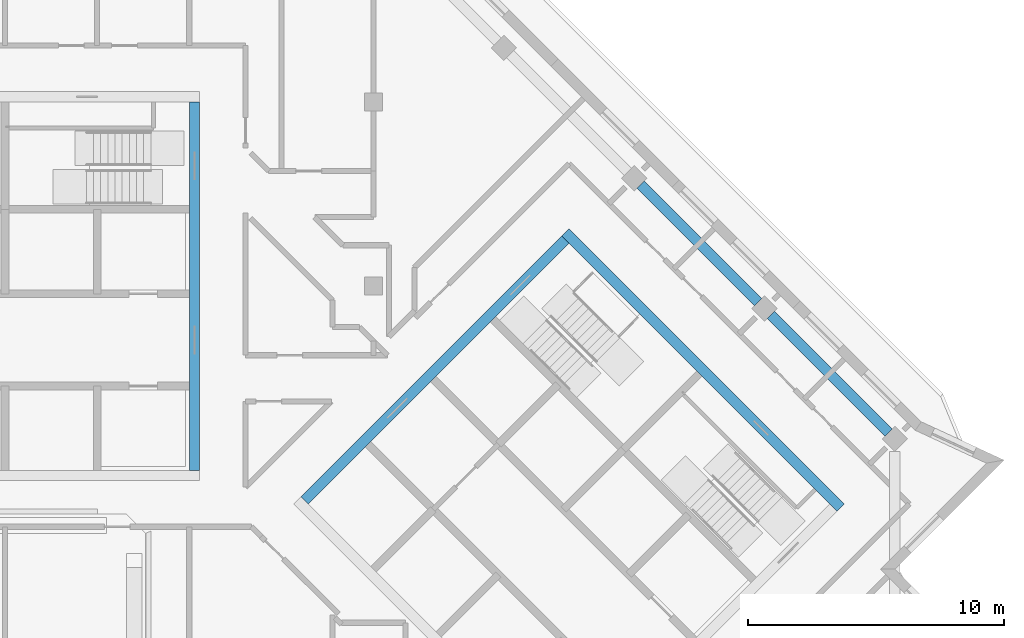
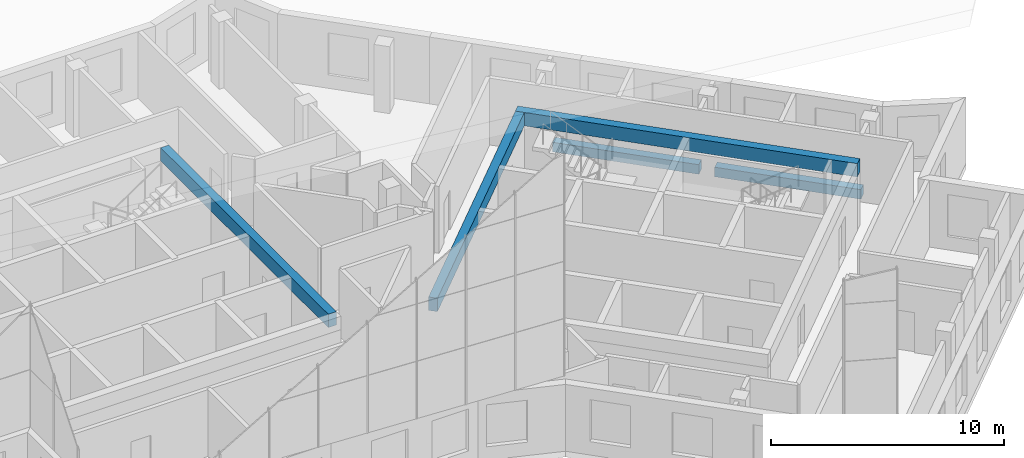
# One storey, part 7 of 20: 5 beams.
"""IFC4 building model written with IfcOpenShell, lengths in metres."""

from ifc_helpers import new_model, si_unit, direction, frame, origin, origin_2d, place, context, subcontext, project, spatial, rectangle, extrude, material, material_profile, profile_set, type_object, element, save


model = new_model("IFC4")

# Units and contexts
model_context = context("Model", 3, precision=1e-05, world=origin(), true_north=direction((0.0, 1.0)))
body_context = subcontext(model_context, "Body", "Model", "MODEL_VIEW")
ifc_project = project(units=[si_unit("LENGTHUNIT", "METRE"), si_unit("AREAUNIT", "SQUARE_METRE"), si_unit("VOLUMEUNIT", "CUBIC_METRE"), si_unit("PLANEANGLEUNIT", "RADIAN"), si_unit("MASSUNIT", "GRAM", prefix="KILO")], contexts=[model_context])

# Site, building, storey
site_placement = place(None, origin())
site = spatial("IfcSite", under=ifc_project, at=site_placement, CompositionType="ELEMENT")
building_placement = place(site_placement, origin())
building = spatial("IfcBuilding", under=site, at=building_placement, Name="Windrow Commons", CompositionType="ELEMENT")
storey_placement = place(building_placement, frame((0.0, 0.0, 290.6)))
storey = spatial("IfcBuildingStorey", under=building, at=storey_placement, Name="L79", CompositionType="ELEMENT", Elevation=290.6)

# Beams
ifc_material_1 = material(Name="Concrete C40/50", Category="concrete")
ifc_material_profile_1 = material_profile(ifc_material_1, rectangle(XDim=0.4, YDim=0.7, at=origin_2d()))
ifc_profile_set_1 = profile_set([ifc_material_profile_1], Name="Concrete C40/50")
beam_type_1 = type_object("IfcBeamType", Name="RC COUPLING BEAM 400x700 C40/50", PredefinedType="LINTEL", material=ifc_profile_set_1)
beam_1_placement = place(storey_placement, frame((72.2, 50.4, 3.15), z_axis=(0.0, 1.0, 0.0), x_axis=(-1.0, 0.0, 0.0)))
element("IfcBeam", 1, at=beam_1_placement, inside=storey, type_object=beam_type_1, Name="Core A coupling beam outer-E", PredefinedType="LINTEL", context=body_context, shape_type="SweptSolid", body=[
    extrude(rectangle(XDim=0.4, YDim=0.7, at=origin_2d()), origin(), (0.0, 0.0, 1.0), 14.4),
])
beam_2_placement = place(storey_placement, frame((86.6953, 59.6963, 3.15), z_axis=(0.7071100706, -0.7071034917, 0.0), x_axis=(0.7071034917, 0.7071100706, 0.0)))
element("IfcBeam", 2, at=beam_2_placement, inside=storey, type_object=beam_type_1, Name="Core B coupling beam outer-N", PredefinedType="LINTEL", context=body_context, shape_type="SweptSolid", body=[
    extrude(rectangle(XDim=0.4, YDim=0.7, at=origin_2d()), origin(), (0.0, 0.0, 1.0), 15.2),
])
beam_3_placement = place(storey_placement, frame((76.513, 49.2312, 3.15), z_axis=(0.7071067812, 0.7071067812, 0.0), x_axis=(-0.7071067812, 0.7071067812, 0.0)))
element("IfcBeam", 3, at=beam_3_placement, inside=storey, type_object=beam_type_1, Name="Core B coupling beam outer-W", PredefinedType="LINTEL", context=body_context, shape_type="SweptSolid", body=[
    extrude(rectangle(XDim=0.4, YDim=0.7, at=origin_2d()), origin(), (0.0, 0.0, 1.0), 14.3999),
])
ifc_material_2 = material(Name="Concrete C40/50", Category="concrete")
ifc_material_profile_2 = material_profile(ifc_material_2, rectangle(XDim=0.4, YDim=0.5, at=origin_2d()))
ifc_profile_set_2 = profile_set([ifc_material_profile_2], Name="Concrete C40/50")
beam_type_2 = type_object("IfcBeamType", Name="RC EDGE BEAM 400x500 C40/50", PredefinedType="SPANDREL", material=ifc_profile_set_2)
for number, where, z_axis, x_axis, name in (
    (4, (89.6298, 61.5702, -0.55), (0.7071067812, -0.7071067812, 0.0), (0.7071067812, 0.7071067812, 0.0), "Edge beam L79 014"),
    (5, (94.721, 56.479, -0.55), (0.7071067812, -0.7071067812, 0.0), (0.7071067812, 0.7071067812, 0.0), "Edge beam L79 015"),
):
    element("IfcBeam", number, at=place(storey_placement, frame(where, z_axis=z_axis, x_axis=x_axis)), inside=storey, type_object=beam_type_2, Name=name, PredefinedType="SPANDREL", context=body_context, shape_type="SweptSolid", body=[
        extrude(rectangle(XDim=0.4, YDim=0.5, at=origin_2d()), origin(), (0.0, 0.0, 1.0), 6.5),
    ])

save(model, "model.ifc")
